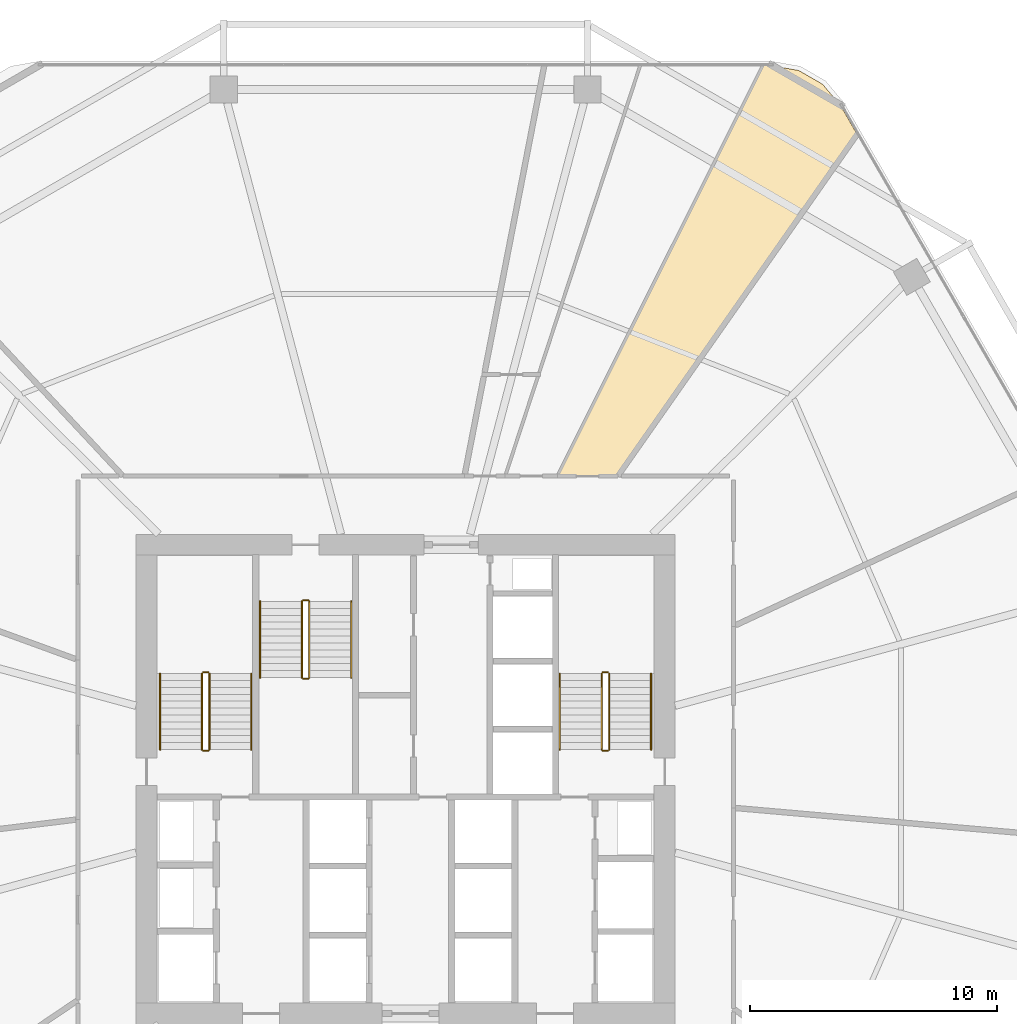
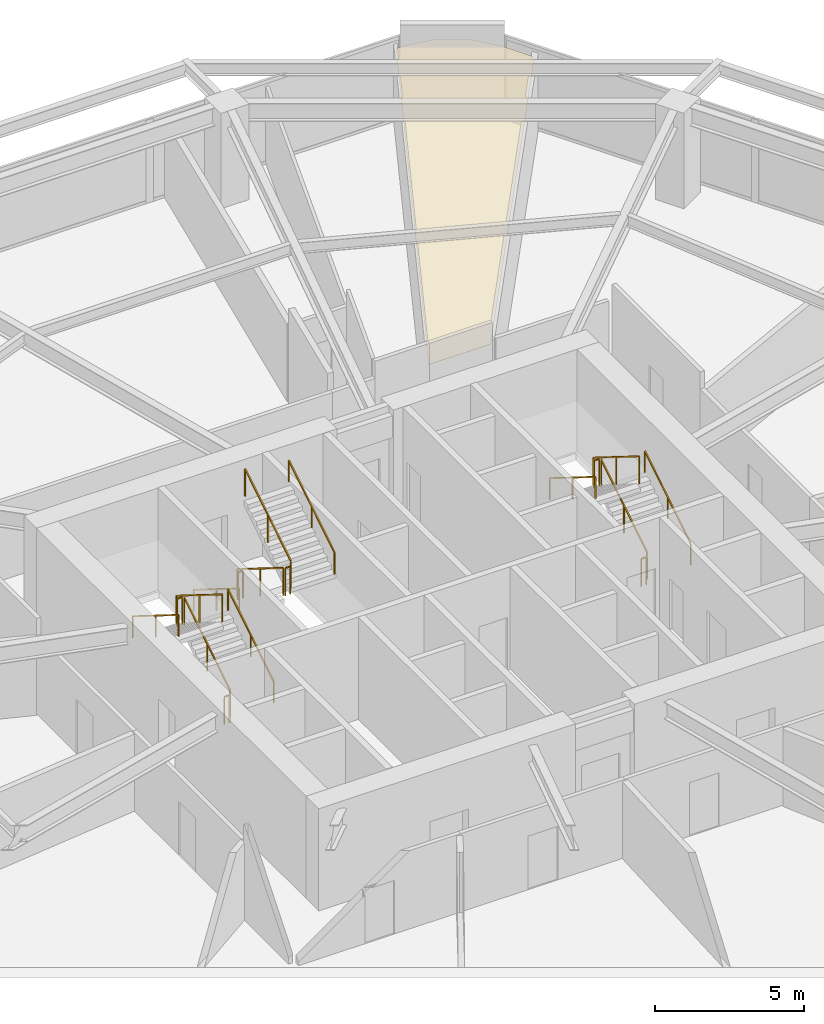
# One storey, part 28 of 28: 18 railings, 1 covering.
"""IFC4 building model written with IfcOpenShell, lengths in metres."""

import ifcopenshell
import ifcopenshell.guid

model = None  # the IFC model being written
_history = None  # IfcOwnerHistory: only IFC2X3 demands one
_inside = {}  # id of a spatial element -> (the spatial element, [elements in it])
_under = {}  # id of a project, library or spatial element -> (it, [spatial elements below it])
_declared = {}  # id of a project -> (the project, [libraries it declares])
_typed = {}  # id of a type object -> (the type object, [elements of that type])
_made_of = {}  # id of a material, layer set ... -> (it, [elements and type objects made of it])


def new_model(schema):
    """Start an empty IFC model of exactly this schema.

    Asked for "IFC4X3", IfcOpenShell would pick the latest addendum, in which some entities
    have other attributes; the version numbers below select the first issue.
    IFC2X3 requires an IfcOwnerHistory on every rooted entity: one is made here for all.
    """
    global model, _history
    if schema == "IFC4X3":
        model = ifcopenshell.file(schema_version=(4, 3, 0, 0))
    else:
        model = ifcopenshell.file(schema=schema)
    _inside.clear()
    _under.clear()
    _declared.clear()
    _typed.clear()
    _made_of.clear()
    _history = None
    if model.schema == "IFC2X3":
        org = make("IfcOrganization", Name="unknown")
        user = make(
            "IfcPersonAndOrganization",
            ThePerson=make("IfcPerson", FamilyName="unknown"),
            TheOrganization=org,
        )
        app = make(
            "IfcApplication",
            ApplicationDeveloper=org,
            Version="unknown",
            ApplicationFullName="unknown",
            ApplicationIdentifier="unknown",
        )
        _history = make(
            "IfcOwnerHistory",
            OwningUser=user,
            OwningApplication=app,
            ChangeAction="ADDED",
            CreationDate=0,
        )
    return model


def make(cls, **values):
    """One entity of the class cls with the attributes given. An attribute that is None is left unset."""
    return model.create_entity(
        cls, **{name: value for name, value in values.items() if value is not None}
    )


def rooted(cls, **values):
    """An entity with a GlobalId (a new one), such as an element, a storey or a relation."""
    return make(cls, GlobalId=ifcopenshell.guid.new(), OwnerHistory=_history, **values)


def si_unit(unit_type, name, prefix=None):
    """IfcSIUnit, for example si_unit("LENGTHUNIT", "METRE", prefix="MILLI")."""
    return make("IfcSIUnit", UnitType=unit_type, Prefix=prefix, Name=name)


def assignment(units):
    """IfcUnitAssignment: the units of a project."""
    return None if units is None else make("IfcUnitAssignment", Units=units)


def point(xyz):
    """IfcCartesianPoint."""
    return None if xyz is None else make("IfcCartesianPoint", Coordinates=xyz)


def direction(xyz):
    """IfcDirection."""
    return None if xyz is None else make("IfcDirection", DirectionRatios=xyz)


def frame(location, z_axis=None, x_axis=None):
    """IfcAxis2Placement3D, a coordinate frame: its origin and axes. An axis left out is left unset."""
    return make(
        "IfcAxis2Placement3D",
        Location=point(location),
        Axis=direction(z_axis),
        RefDirection=direction(x_axis),
    )


def frame_2d(location, x_axis=None):
    """IfcAxis2Placement2D, a coordinate frame in the plane: its origin and x axis."""
    return make(
        "IfcAxis2Placement2D", Location=point(location), RefDirection=direction(x_axis)
    )


def origin():
    """The frame at (0, 0, 0) with its axes left unset."""
    return frame((0.0, 0.0, 0.0))


def origin_2d():
    """The frame at (0, 0) in the plane with its x axis left unset."""
    return frame_2d((0.0, 0.0))


def place(relative_to, where):
    """IfcLocalPlacement: puts the frame where relative to a parent placement (None: the world)."""
    return make(
        "IfcLocalPlacement", PlacementRelTo=relative_to, RelativePlacement=where
    )


def context(
    kind, dimensions, precision=None, world=None, true_north=None, identifier=None
):
    """IfcGeometricRepresentationContext, for example the 3D "Model" context."""
    return make(
        "IfcGeometricRepresentationContext",
        ContextIdentifier=identifier,
        ContextType=kind,
        CoordinateSpaceDimension=dimensions,
        Precision=precision,
        WorldCoordinateSystem=world,
        TrueNorth=true_north,
    )


def subcontext(parent, identifier, kind, view, scale=None):
    """IfcGeometricRepresentationSubContext, for example "Body" below "Model"."""
    return make(
        "IfcGeometricRepresentationSubContext",
        ContextIdentifier=identifier,
        ContextType=kind,
        ParentContext=parent,
        TargetScale=scale,
        TargetView=view,
    )


def project(units=None, contexts=None):
    """IfcProject with its units and contexts."""
    return rooted(
        "IfcProject",
        Name="project",
        RepresentationContexts=contexts,
        UnitsInContext=assignment(units),
    )


def spatial(cls, under=None, at=None, **own):
    """A site, building, storey or space (cls), placed at a placement, below another one or the project."""
    s = rooted(cls, ObjectPlacement=at, **own)
    if under is not None:
        _under.setdefault(under.id(), (under, []))[1].append(s)
    return s


def polyline(points):
    """IfcPolyline through the points."""
    return make("IfcPolyline", Points=[point(p) for p in points])


def profile(cls, at=None, kind="AREA", **sizes):
    """A parametric profile (cls). Its sizes go by their IFC names, for example OverallWidth=200.0."""
    return make(cls, ProfileType=kind, Position=at, **sizes)


def rectangle(**sizes):
    """IfcRectangleProfileDef."""
    return profile("IfcRectangleProfileDef", **sizes)


def outline(outer, holes=None, kind="AREA"):
    """IfcArbitraryClosedProfileDef: a profile drawn as a closed curve; with holes, ...WithVoids."""
    if holes is None:
        return make("IfcArbitraryClosedProfileDef", ProfileType=kind, OuterCurve=outer)
    return make(
        "IfcArbitraryProfileDefWithVoids",
        ProfileType=kind,
        OuterCurve=outer,
        InnerCurves=holes,
    )


def extrude(swept, where, along, depth):
    """IfcExtrudedAreaSolid: the profile swept, set in the frame where, extruded along a direction by depth."""
    return make(
        "IfcExtrudedAreaSolid",
        SweptArea=swept,
        Position=where,
        ExtrudedDirection=direction(along),
        Depth=depth,
    )


def shape(context_of_items, identifier, shape_type, items):
    """IfcShapeRepresentation: the items that make up one representation, for example the "Body"."""
    return make(
        "IfcShapeRepresentation",
        ContextOfItems=context_of_items,
        RepresentationIdentifier=identifier,
        RepresentationType=shape_type,
        Items=items,
    )


def material(Name=None, Category=None):
    """IfcMaterial."""
    return make("IfcMaterial", Name=Name, Category=Category)


def layer(
    of_material, thickness, ventilated=None, Name=None, Category=None, Priority=None
):
    """IfcMaterialLayer: one layer of a wall or slab, of a material (None: an air gap)."""
    return make(
        "IfcMaterialLayer",
        Material=of_material,
        LayerThickness=thickness,
        IsVentilated=ventilated,
        Name=Name,
        Category=Category,
        Priority=Priority,
    )


def layer_set(layers, Name=None):
    """IfcMaterialLayerSet."""
    return make("IfcMaterialLayerSet", MaterialLayers=layers, LayerSetName=Name)


def made_of(thing, what):
    """Note that an element or type object is made of a material, layer set ...; save() writes the relation."""
    if what is not None:
        _made_of.setdefault(what.id(), (what, []))[1].append(thing)
    return thing


def type_object(cls, material=None, **own):
    """A type object (cls), such as IfcWallType, which elements share."""
    return made_of(rooted(cls, **own), material)


def element(
    cls,
    number,
    at=None,
    inside=None,
    cuts=None,
    type_object=None,
    material=None,
    context=None,
    identifier="Body",
    shape_type=None,
    held_by="IfcProductDefinitionShape",
    body=None,
    shapes=None,
    **own,
):
    """One element of the class cls, such as IfcWall. Its Tag is "e" and its number.

    at: its placement. inside: the storey or other place that contains it. cuts: it is an
    opening in that element (IfcRelVoidsElement). A single representation is given by context,
    identifier, shape_type and body (its items); several are given by shapes. held_by: the class
    of the entity that holds the representations. save() writes the other relations.
    """
    e = rooted(cls, Tag="e%d" % number, ObjectPlacement=at, **own)
    if body is not None:
        shapes = [shape(context, identifier, shape_type, body)]
    if shapes is not None:
        e.Representation = make(held_by, Representations=shapes)
    if inside is not None:
        _inside.setdefault(inside.id(), (inside, []))[1].append(e)
    if cuts is not None:
        rooted(
            "IfcRelVoidsElement", RelatingBuildingElement=cuts, RelatedOpeningElement=e
        )
    if type_object is not None:
        _typed.setdefault(type_object.id(), (type_object, []))[1].append(e)
    return made_of(e, material)


def aggregate(whole, parts):
    """IfcRelAggregates: a whole, such as a stair, and the parts it consists of."""
    return rooted("IfcRelAggregates", RelatingObject=whole, RelatedObjects=parts)


def save(model, path):
    """Write the relations noted so far, then the file.

    IfcRelAggregates (storeys below a building ...), IfcRelContainedInSpatialStructure (elements
    in a storey), IfcRelDefinesByType, IfcRelAssociatesMaterial and IfcRelDeclares: one each for
    every whole, place, type object, material and project.
    """
    for whole, parts in _under.values():
        aggregate(whole, parts)
    for where, things in _inside.values():
        rooted(
            "IfcRelContainedInSpatialStructure",
            RelatedElements=things,
            RelatingStructure=where,
        )
    for kind, things in _typed.values():
        rooted("IfcRelDefinesByType", RelatedObjects=things, RelatingType=kind)
    for what, things in _made_of.values():
        rooted("IfcRelAssociatesMaterial", RelatedObjects=things, RelatingMaterial=what)
    for by, libraries in _declared.values():
        rooted("IfcRelDeclares", RelatingContext=by, RelatedDefinitions=libraries)
    model.write(path)


model = new_model("IFC4")

# Units and contexts
model_context = context("Model", 3, precision=1e-05, world=origin(), true_north=direction((0.0, 1.0)))
body_context = subcontext(model_context, "Body", "Model", "MODEL_VIEW")
ifc_project = project(units=[si_unit("LENGTHUNIT", "METRE"), si_unit("AREAUNIT", "SQUARE_METRE"), si_unit("VOLUMEUNIT", "CUBIC_METRE"), si_unit("PLANEANGLEUNIT", "RADIAN"), si_unit("MASSUNIT", "GRAM", prefix="KILO")], contexts=[model_context])

# Site, building, storey
site_placement = place(None, origin())
site = spatial("IfcSite", under=ifc_project, at=site_placement, CompositionType="ELEMENT")
building_placement = place(site_placement, origin())
building = spatial("IfcBuilding", under=site, at=building_placement, Name="Zuhravey Tower", CompositionType="ELEMENT")
storey_placement = place(building_placement, frame((0.0, 0.0, 79.199951171875)))
storey = spatial("IfcBuildingStorey", under=building, at=storey_placement, Name="L19", CompositionType="ELEMENT", Elevation=79.199951171875)

# Covering
ifc_material_1 = material(Name="Moisture-resistant gypsum ceiling board")
ifc_layer = layer(ifc_material_1, 0.02001953125)
ifc_layer_set = layer_set([ifc_layer], Name="Moisture-resistant gypsum ceiling board")
covering_type = type_object("IfcCoveringType", Name="Moisture-Resistant Ceiling", PredefinedType="CEILING", material=ifc_layer_set)
covering_placement = place(storey_placement, frame((0.0, 0.0, 2.9599609375)))
element("IfcCovering", 1, at=covering_placement, inside=storey, type_object=covering_type, Name="L19 Wet-Room Ceiling CLG2", PredefinedType="CEILING", context=body_context, shape_type="SweptSolid", body=[
    extrude(outline(polyline([(51.9375, 60.7216796875), (52.905029296875, 60.1630859375), (53.633544921875, 59.294921875), (54.29052734375, 58.156494140625), (44.591552734375, 44.304931640625), (42.184326171875, 44.304931640625), (50.503662109375, 60.91845703125), (50.8212890625, 60.91845703125), (51.9375, 60.7216796875)])), origin(), (0.0, 0.0, 1.0), 0.02001953125),
])

# Railings
ifc_material_2 = material(Name="Brushed stainless steel", Category="steel")
railing_type_1 = type_object("IfcRailingType", Name="Stair Wall Handrail 900", PredefinedType="HANDRAIL", material=ifc_material_2)
railing_1_placement = place(storey_placement, frame((29.75, 33.199951171875, 0.175048828125)))
element("IfcRailing", 2, at=railing_1_placement, inside=storey, type_object=railing_type_1, Name="L19 ST1 stair handrail 1", PredefinedType="HANDRAIL", context=body_context, shape_type="SweptSolid", body=[
    extrude(rectangle(XDim=0.048095703125, YDim=0.048095703125, at=origin_2d()), frame((0.0, 0.001708984375, 0.876953125), z_axis=(0.0, 0.847998304005, 0.529998940003), x_axis=(-1.0, 0.0, 0.0)), (0.0, 0.0, 1.0), 3.628173828125),
    extrude(rectangle(XDim=0.0419921875, YDim=0.0419921875, at=origin_2d()), origin(), (0.0, 0.0, 1.0), 0.849853515625),
    extrude(rectangle(XDim=0.0419921875, YDim=0.0419921875, at=origin_2d()), frame((0.0, 1.5400390625, 0.96240234375)), (0.0, 0.0, 1.0), 0.849853515625),
    extrude(rectangle(XDim=0.0419921875, YDim=0.0419921875, at=origin_2d()), frame((0.0, 3.080078125, 1.925048828125)), (0.0, 0.0, 1.0), 0.849853515625),
])
railing_2_placement = place(storey_placement, frame((26.050048828125, 36.280029296875, 2.275146484375)))
element("IfcRailing", 3, at=railing_2_placement, inside=storey, type_object=railing_type_1, Name="L19 ST1 stair handrail 2", PredefinedType="HANDRAIL", context=body_context, shape_type="SweptSolid", body=[
    extrude(rectangle(XDim=0.048095703125, YDim=0.048095703125, at=origin_2d()), frame((0.0, -0.001708984375, 0.876953125), z_axis=(0.0, -0.848028513186, 0.529950602248), x_axis=(1.0, 0.0, 0.0)), (0.0, 0.0, 1.0), 3.6279296875),
    extrude(rectangle(XDim=0.0419921875, YDim=0.0419921875, at=origin_2d()), origin(), (0.0, 0.0, 1.0), 0.849853515625),
    extrude(rectangle(XDim=0.0419921875, YDim=0.0419921875, at=origin_2d()), frame((0.0, -1.5400390625, 0.96240234375)), (0.0, 0.0, 1.0), 0.849853515625),
    extrude(rectangle(XDim=0.0419921875, YDim=0.0419921875, at=origin_2d()), frame((0.0, -3.080078125, 1.9248046875)), (0.0, 0.0, 1.0), 0.849853515625),
])
railing_3_placement = place(storey_placement, frame((45.949951171875, 33.199951171875, 0.175048828125)))
element("IfcRailing", 4, at=railing_3_placement, inside=storey, type_object=railing_type_1, Name="L19 ST2 stair handrail 1", PredefinedType="HANDRAIL", context=body_context, shape_type="SweptSolid", body=[
    extrude(rectangle(XDim=0.048095703125, YDim=0.048095703125, at=origin_2d()), frame((0.0, 0.001708984375, 0.876953125), z_axis=(0.0, 0.847998304005, 0.529998940003), x_axis=(-1.0, 0.0, 0.0)), (0.0, 0.0, 1.0), 3.628173828125),
    extrude(rectangle(XDim=0.0419921875, YDim=0.0419921875, at=origin_2d()), origin(), (0.0, 0.0, 1.0), 0.849853515625),
    extrude(rectangle(XDim=0.0419921875, YDim=0.0419921875, at=origin_2d()), frame((0.0, 1.5400390625, 0.96240234375)), (0.0, 0.0, 1.0), 0.849853515625),
    extrude(rectangle(XDim=0.0419921875, YDim=0.0419921875, at=origin_2d()), frame((0.0, 3.080078125, 1.925048828125)), (0.0, 0.0, 1.0), 0.849853515625),
])
railing_4_placement = place(storey_placement, frame((42.25, 36.280029296875, 2.275146484375)))
element("IfcRailing", 5, at=railing_4_placement, inside=storey, type_object=railing_type_1, Name="L19 ST2 stair handrail 2", PredefinedType="HANDRAIL", context=body_context, shape_type="SweptSolid", body=[
    extrude(rectangle(XDim=0.048095703125, YDim=0.048095703125, at=origin_2d()), frame((0.0, -0.001708984375, 0.876953125), z_axis=(0.0, -0.848028513186, 0.529950602248), x_axis=(1.0, 0.0, 0.0)), (0.0, 0.0, 1.0), 3.6279296875),
    extrude(rectangle(XDim=0.0419921875, YDim=0.0419921875, at=origin_2d()), origin(), (0.0, 0.0, 1.0), 0.849853515625),
    extrude(rectangle(XDim=0.0419921875, YDim=0.0419921875, at=origin_2d()), frame((0.0, -1.5400390625, 0.96240234375)), (0.0, 0.0, 1.0), 0.849853515625),
    extrude(rectangle(XDim=0.0419921875, YDim=0.0419921875, at=origin_2d()), frame((0.0, -3.080078125, 1.9248046875)), (0.0, 0.0, 1.0), 0.849853515625),
])
railing_5_placement = place(storey_placement, frame((30.10009765625, 39.199951171875, 0.175048828125)))
element("IfcRailing", 6, at=railing_5_placement, inside=storey, type_object=railing_type_1, Name="L19 ST3 stair handrail 1", PredefinedType="HANDRAIL", context=body_context, shape_type="SweptSolid", body=[
    extrude(rectangle(XDim=0.048095703125, YDim=0.048095703125, at=origin_2d()), frame((0.0, -0.001708984375, 0.876953125), z_axis=(0.0, -0.847979421464, 0.530029150871), x_axis=(1.0, 0.0, 0.0)), (0.0, 0.0, 1.0), 3.6279296875),
    extrude(rectangle(XDim=0.0419921875, YDim=0.0419921875, at=origin_2d()), origin(), (0.0, 0.0, 1.0), 0.849853515625),
    extrude(rectangle(XDim=0.0419921875, YDim=0.0419921875, at=origin_2d()), frame((0.0, -1.5400390625, 0.96240234375)), (0.0, 0.0, 1.0), 0.849853515625),
    extrude(rectangle(XDim=0.0419921875, YDim=0.0419921875, at=origin_2d()), frame((0.0, -3.079833984375, 1.925048828125)), (0.0, 0.0, 1.0), 0.849853515625),
])
railing_6_placement = place(storey_placement, frame((33.800048828125, 36.1201171875, 2.275146484375)))
element("IfcRailing", 7, at=railing_6_placement, inside=storey, type_object=railing_type_1, Name="L19 ST3 stair handrail 2", PredefinedType="HANDRAIL", context=body_context, shape_type="SweptSolid", body=[
    extrude(rectangle(XDim=0.048095703125, YDim=0.048095703125, at=origin_2d()), frame((0.0, 0.001708984375, 0.876953125), z_axis=(0.0, 0.848009633417, 0.529980812513), x_axis=(-1.0, 0.0, 0.0)), (0.0, 0.0, 1.0), 3.6279296875),
    extrude(rectangle(XDim=0.0419921875, YDim=0.0419921875, at=origin_2d()), origin(), (0.0, 0.0, 1.0), 0.849853515625),
    extrude(rectangle(XDim=0.0419921875, YDim=0.0419921875, at=origin_2d()), frame((0.0, 1.5400390625, 0.96240234375)), (0.0, 0.0, 1.0), 0.849853515625),
    extrude(rectangle(XDim=0.0419921875, YDim=0.0419921875, at=origin_2d()), frame((0.0, 3.079833984375, 1.9248046875)), (0.0, 0.0, 1.0), 0.849853515625),
])
ifc_material_3 = material(Name="Painted tubular steel", Category="steel")
railing_type_2 = type_object("IfcRailingType", Name="Stair Well Guardrail 1150", PredefinedType="GUARDRAIL", material=ifc_material_3)
railing_7_placement = place(storey_placement, frame((28.050048828125, 33.199951171875, 0.175048828125)))
element("IfcRailing", 8, at=railing_7_placement, inside=storey, type_object=railing_type_2, Name="L19 ST1 stair guard 1", PredefinedType="GUARDRAIL", context=body_context, shape_type="SweptSolid", body=[
    extrude(rectangle(XDim=0.048095703125, YDim=0.048095703125, at=origin_2d()), frame((0.0, 0.001708984375, 1.126953125), z_axis=(0.0, 0.847998304005, 0.529998940003), x_axis=(-1.0, 0.0, 0.0)), (0.0, 0.0, 1.0), 3.628173828125),
    extrude(rectangle(XDim=0.0419921875, YDim=0.0419921875, at=origin_2d()), origin(), (0.0, 0.0, 1.0), 1.099853515625),
    extrude(rectangle(XDim=0.0419921875, YDim=0.0419921875, at=origin_2d()), frame((0.0, 1.5400390625, 0.96240234375)), (0.0, 0.0, 1.0), 1.099853515625),
    extrude(rectangle(XDim=0.0419921875, YDim=0.0419921875, at=origin_2d()), frame((0.0, 3.080078125, 1.925048828125)), (0.0, 0.0, 1.0), 1.099853515625),
])
railing_8_placement = place(storey_placement, frame((28.0, 36.330078125, 2.10009765625)))
element("IfcRailing", 9, at=railing_8_placement, inside=storey, type_object=railing_type_2, Name="L19 ST1 stair guard 2", PredefinedType="GUARDRAIL", context=body_context, shape_type="SweptSolid", body=[
    extrude(rectangle(XDim=0.048095703125, YDim=0.048095703125, at=origin_2d()), frame((-0.001953125, 0.0, 1.1259765625), z_axis=(-1.0, 0.0, 0.0), x_axis=(0.0, -1.0, 0.0)), (0.0, 0.0, 1.0), 0.196044921875),
    extrude(rectangle(XDim=0.0419921875, YDim=0.0419921875, at=origin_2d()), origin(), (0.0, 0.0, 1.0), 1.099853515625),
    extrude(rectangle(XDim=0.0419921875, YDim=0.0419921875, at=origin_2d()), frame((-0.199951171875, 0.0, 0.0)), (0.0, 0.0, 1.0), 1.099853515625),
])
railing_9_placement = place(storey_placement, frame((27.75, 36.280029296875, 2.275146484375)))
element("IfcRailing", 10, at=railing_9_placement, inside=storey, type_object=railing_type_2, Name="L19 ST1 stair guard 3", PredefinedType="GUARDRAIL", context=body_context, shape_type="SweptSolid", body=[
    extrude(rectangle(XDim=0.048095703125, YDim=0.048095703125, at=origin_2d()), frame((0.0, -0.001708984375, 1.126953125), z_axis=(0.0, -0.848028513186, 0.529950602248), x_axis=(1.0, 0.0, 0.0)), (0.0, 0.0, 1.0), 3.6279296875),
    extrude(rectangle(XDim=0.0419921875, YDim=0.0419921875, at=origin_2d()), origin(), (0.0, 0.0, 1.0), 1.099853515625),
    extrude(rectangle(XDim=0.0419921875, YDim=0.0419921875, at=origin_2d()), frame((0.0, -1.5400390625, 0.96240234375)), (0.0, 0.0, 1.0), 1.099853515625),
    extrude(rectangle(XDim=0.0419921875, YDim=0.0419921875, at=origin_2d()), frame((0.0, -3.080078125, 1.9248046875)), (0.0, 0.0, 1.0), 1.099853515625),
])
railing_10_placement = place(storey_placement, frame((28.0, 33.14990234375, 0.0)))
element("IfcRailing", 11, at=railing_10_placement, inside=storey, type_object=railing_type_2, Name="L19 ST1 stair guard 4", PredefinedType="GUARDRAIL", context=body_context, shape_type="SweptSolid", body=[
    extrude(rectangle(XDim=0.048095703125, YDim=0.048095703125, at=origin_2d()), frame((-0.001953125, 0.0, 1.1259765625), z_axis=(-1.0, 0.0, 0.0), x_axis=(0.0, -1.0, 0.0)), (0.0, 0.0, 1.0), 0.196044921875),
    extrude(rectangle(XDim=0.0419921875, YDim=0.0419921875, at=origin_2d()), origin(), (0.0, 0.0, 1.0), 1.099853515625),
    extrude(rectangle(XDim=0.0419921875, YDim=0.0419921875, at=origin_2d()), frame((-0.199951171875, 0.0, 0.0)), (0.0, 0.0, 1.0), 1.099853515625),
])
railing_11_placement = place(storey_placement, frame((44.25, 33.199951171875, 0.175048828125)))
element("IfcRailing", 12, at=railing_11_placement, inside=storey, type_object=railing_type_2, Name="L19 ST2 stair guard 1", PredefinedType="GUARDRAIL", context=body_context, shape_type="SweptSolid", body=[
    extrude(rectangle(XDim=0.048095703125, YDim=0.048095703125, at=origin_2d()), frame((0.0, 0.001708984375, 1.126953125), z_axis=(0.0, 0.847998304005, 0.529998940003), x_axis=(-1.0, 0.0, 0.0)), (0.0, 0.0, 1.0), 3.628173828125),
    extrude(rectangle(XDim=0.0419921875, YDim=0.0419921875, at=origin_2d()), origin(), (0.0, 0.0, 1.0), 1.099853515625),
    extrude(rectangle(XDim=0.0419921875, YDim=0.0419921875, at=origin_2d()), frame((0.0, 1.5400390625, 0.96240234375)), (0.0, 0.0, 1.0), 1.099853515625),
    extrude(rectangle(XDim=0.0419921875, YDim=0.0419921875, at=origin_2d()), frame((0.0, 3.080078125, 1.925048828125)), (0.0, 0.0, 1.0), 1.099853515625),
])
railing_12_placement = place(storey_placement, frame((44.199951171875, 36.330078125, 2.10009765625)))
element("IfcRailing", 13, at=railing_12_placement, inside=storey, type_object=railing_type_2, Name="L19 ST2 stair guard 2", PredefinedType="GUARDRAIL", context=body_context, shape_type="SweptSolid", body=[
    extrude(rectangle(XDim=0.048095703125, YDim=0.048095703125, at=origin_2d()), frame((-0.001953125, 0.0, 1.1259765625), z_axis=(-1.0, 0.0, 0.0), x_axis=(0.0, -1.0, 0.0)), (0.0, 0.0, 1.0), 0.196044921875),
    extrude(rectangle(XDim=0.0419921875, YDim=0.0419921875, at=origin_2d()), origin(), (0.0, 0.0, 1.0), 1.099853515625),
    extrude(rectangle(XDim=0.0419921875, YDim=0.0419921875, at=origin_2d()), frame((-0.199951171875, 0.0, 0.0)), (0.0, 0.0, 1.0), 1.099853515625),
])
railing_13_placement = place(storey_placement, frame((43.949951171875, 36.280029296875, 2.275146484375)))
element("IfcRailing", 14, at=railing_13_placement, inside=storey, type_object=railing_type_2, Name="L19 ST2 stair guard 3", PredefinedType="GUARDRAIL", context=body_context, shape_type="SweptSolid", body=[
    extrude(rectangle(XDim=0.048095703125, YDim=0.048095703125, at=origin_2d()), frame((0.0, -0.001708984375, 1.126953125), z_axis=(0.0, -0.848028513186, 0.529950602248), x_axis=(1.0, 0.0, 0.0)), (0.0, 0.0, 1.0), 3.6279296875),
    extrude(rectangle(XDim=0.0419921875, YDim=0.0419921875, at=origin_2d()), origin(), (0.0, 0.0, 1.0), 1.099853515625),
    extrude(rectangle(XDim=0.0419921875, YDim=0.0419921875, at=origin_2d()), frame((0.0, -1.5400390625, 0.96240234375)), (0.0, 0.0, 1.0), 1.099853515625),
    extrude(rectangle(XDim=0.0419921875, YDim=0.0419921875, at=origin_2d()), frame((0.0, -3.080078125, 1.9248046875)), (0.0, 0.0, 1.0), 1.099853515625),
])
railing_14_placement = place(storey_placement, frame((44.199951171875, 33.14990234375, 0.0)))
element("IfcRailing", 15, at=railing_14_placement, inside=storey, type_object=railing_type_2, Name="L19 ST2 stair guard 4", PredefinedType="GUARDRAIL", context=body_context, shape_type="SweptSolid", body=[
    extrude(rectangle(XDim=0.048095703125, YDim=0.048095703125, at=origin_2d()), frame((-0.001953125, 0.0, 1.1259765625), z_axis=(-1.0, 0.0, 0.0), x_axis=(0.0, -1.0, 0.0)), (0.0, 0.0, 1.0), 0.196044921875),
    extrude(rectangle(XDim=0.0419921875, YDim=0.0419921875, at=origin_2d()), origin(), (0.0, 0.0, 1.0), 1.099853515625),
    extrude(rectangle(XDim=0.0419921875, YDim=0.0419921875, at=origin_2d()), frame((-0.199951171875, 0.0, 0.0)), (0.0, 0.0, 1.0), 1.099853515625),
])
railing_15_placement = place(storey_placement, frame((31.800048828125, 39.199951171875, 0.175048828125)))
element("IfcRailing", 16, at=railing_15_placement, inside=storey, type_object=railing_type_2, Name="L19 ST3 stair guard 1", PredefinedType="GUARDRAIL", context=body_context, shape_type="SweptSolid", body=[
    extrude(rectangle(XDim=0.048095703125, YDim=0.048095703125, at=origin_2d()), frame((0.0, -0.001708984375, 1.126953125), z_axis=(0.0, -0.847979421464, 0.530029150871), x_axis=(1.0, 0.0, 0.0)), (0.0, 0.0, 1.0), 3.6279296875),
    extrude(rectangle(XDim=0.0419921875, YDim=0.0419921875, at=origin_2d()), origin(), (0.0, 0.0, 1.0), 1.099853515625),
    extrude(rectangle(XDim=0.0419921875, YDim=0.0419921875, at=origin_2d()), frame((0.0, -1.5400390625, 0.96240234375)), (0.0, 0.0, 1.0), 1.099853515625),
    extrude(rectangle(XDim=0.0419921875, YDim=0.0419921875, at=origin_2d()), frame((0.0, -3.079833984375, 1.925048828125)), (0.0, 0.0, 1.0), 1.099853515625),
])
railing_16_placement = place(storey_placement, frame((31.85009765625, 36.070068359375, 2.10009765625)))
element("IfcRailing", 17, at=railing_16_placement, inside=storey, type_object=railing_type_2, Name="L19 ST3 stair guard 2", PredefinedType="GUARDRAIL", context=body_context, shape_type="SweptSolid", body=[
    extrude(rectangle(XDim=0.048095703125, YDim=0.048095703125, at=origin_2d()), frame((0.001953125, 0.0, 1.1259765625), z_axis=(1.0, 0.0, 0.0), x_axis=(0.0, 1.0, 0.0)), (0.0, 0.0, 1.0), 0.196044921875),
    extrude(rectangle(XDim=0.0419921875, YDim=0.0419921875, at=origin_2d()), origin(), (0.0, 0.0, 1.0), 1.099853515625),
    extrude(rectangle(XDim=0.0419921875, YDim=0.0419921875, at=origin_2d()), frame((0.199951171875, 0.0, 0.0)), (0.0, 0.0, 1.0), 1.099853515625),
])
railing_17_placement = place(storey_placement, frame((32.10009765625, 36.1201171875, 2.275146484375)))
element("IfcRailing", 18, at=railing_17_placement, inside=storey, type_object=railing_type_2, Name="L19 ST3 stair guard 3", PredefinedType="GUARDRAIL", context=body_context, shape_type="SweptSolid", body=[
    extrude(rectangle(XDim=0.048095703125, YDim=0.048095703125, at=origin_2d()), frame((0.0, 0.001708984375, 1.126953125), z_axis=(0.0, 0.848009633417, 0.529980812513), x_axis=(-1.0, 0.0, 0.0)), (0.0, 0.0, 1.0), 3.6279296875),
    extrude(rectangle(XDim=0.0419921875, YDim=0.0419921875, at=origin_2d()), origin(), (0.0, 0.0, 1.0), 1.099853515625),
    extrude(rectangle(XDim=0.0419921875, YDim=0.0419921875, at=origin_2d()), frame((0.0, 1.5400390625, 0.96240234375)), (0.0, 0.0, 1.0), 1.099853515625),
    extrude(rectangle(XDim=0.0419921875, YDim=0.0419921875, at=origin_2d()), frame((0.0, 3.079833984375, 1.9248046875)), (0.0, 0.0, 1.0), 1.099853515625),
])
railing_18_placement = place(storey_placement, frame((31.85009765625, 39.25, 0.0)))
element("IfcRailing", 19, at=railing_18_placement, inside=storey, type_object=railing_type_2, Name="L19 ST3 stair guard 4", PredefinedType="GUARDRAIL", context=body_context, shape_type="SweptSolid", body=[
    extrude(rectangle(XDim=0.048095703125, YDim=0.048095703125, at=origin_2d()), frame((0.001953125, 0.0, 1.1259765625), z_axis=(1.0, 0.0, 0.0), x_axis=(0.0, 1.0, 0.0)), (0.0, 0.0, 1.0), 0.196044921875),
    extrude(rectangle(XDim=0.0419921875, YDim=0.0419921875, at=origin_2d()), origin(), (0.0, 0.0, 1.0), 1.099853515625),
    extrude(rectangle(XDim=0.0419921875, YDim=0.0419921875, at=origin_2d()), frame((0.199951171875, 0.0, 0.0)), (0.0, 0.0, 1.0), 1.099853515625),
])

save(model, "model.ifc")
